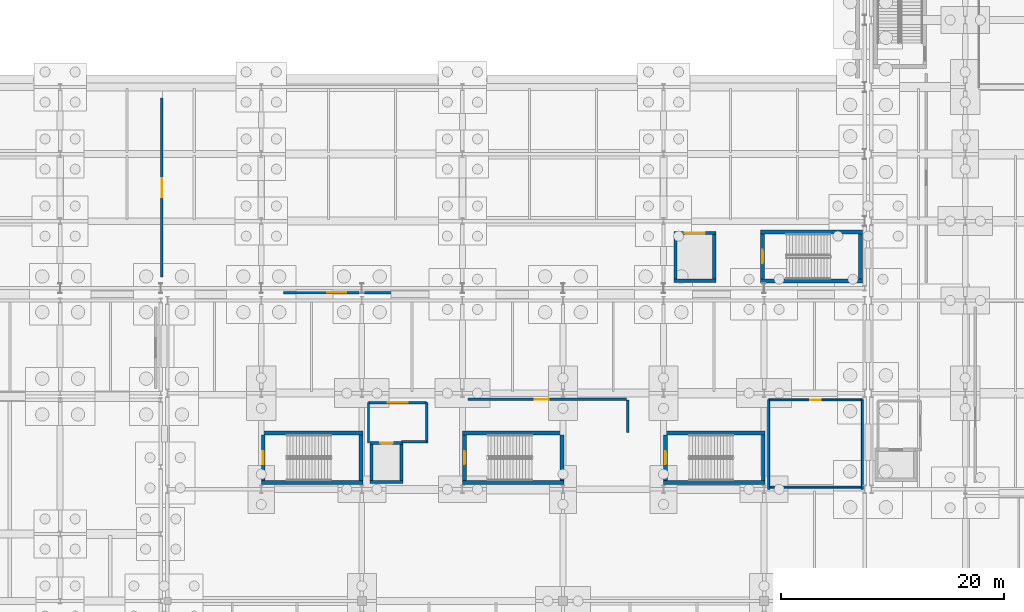
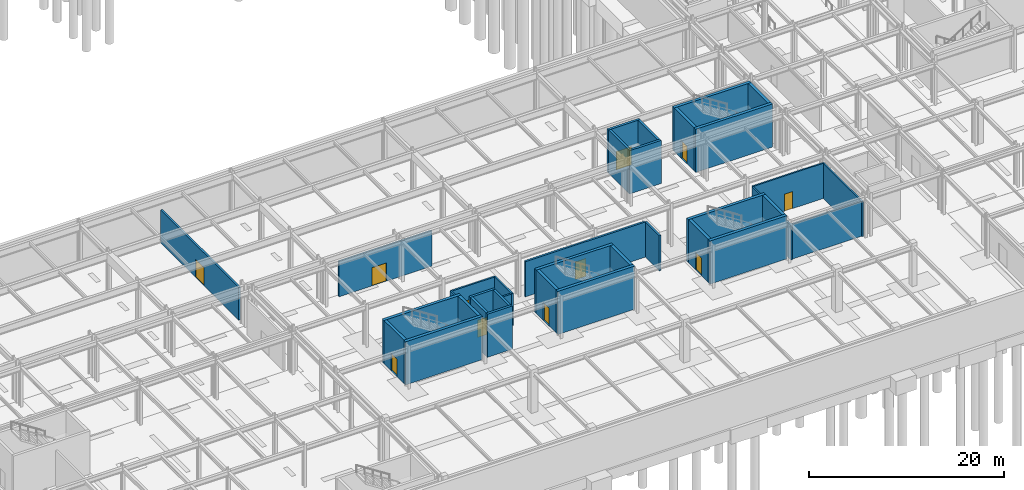
# One storey, part 44 of 65: 36 walls, 11 doors, 11 openings.
"""IFC4 building model written with IfcOpenShell, lengths in metres."""

from ifc_helpers import new_model, si_unit, direction, frame, frame_2d, origin, place, context, subcontext, project, spatial, rectangle, extrude, material, layer, layer_set, type_object, element, fill, save


model = new_model("IFC4")

# Units and contexts
model_context = context("Model", 3, precision=1e-05, world=origin(), true_north=direction((0.0, 1.0)))
body_context = subcontext(model_context, "Body", "Model", "MODEL_VIEW")
ifc_project = project(units=[si_unit("LENGTHUNIT", "METRE"), si_unit("AREAUNIT", "SQUARE_METRE"), si_unit("VOLUMEUNIT", "CUBIC_METRE"), si_unit("PLANEANGLEUNIT", "RADIAN"), si_unit("MASSUNIT", "GRAM", prefix="KILO")], contexts=[model_context])

# Site, building, storey
site_placement = place(None, origin())
site = spatial("IfcSite", under=ifc_project, at=site_placement, CompositionType="ELEMENT")
building_placement = place(site_placement, origin())
building = spatial("IfcBuilding", under=site, at=building_placement, Name="Kaldris Quays Convention Centre", CompositionType="ELEMENT")
storey_placement = place(building_placement, frame((0.0, 0.0, -5.39990234375)))
storey = spatial("IfcBuildingStorey", under=building, at=storey_placement, Name="B1", CompositionType="ELEMENT", Elevation=-5.39990234375)

# Wall, opening, door
ifc_material_1 = material(Name="Concrete C35/45", Category="concrete")
ifc_layer_1 = layer(ifc_material_1, 0.199951171875)
ifc_layer_set_1 = layer_set([ifc_layer_1], Name="Concrete C35/45")
wall_type_1 = type_object("IfcWallType", Name="INTERIOR WALL IW01", PredefinedType="PARTITIONING", material=ifc_layer_set_1)
wall_1_placement = place(storey_placement, frame((101.60009765625, 45.75, 0.0), z_axis=(0.0, 0.0, 1.0), x_axis=(1.0, 0.0, 0.0)))
wall_1 = element("IfcWall", 1, at=wall_1_placement, inside=storey, type_object=wall_type_1, Name="B1 Firefighting Lift Lobby FL01 Wall N", PredefinedType="PARTITIONING", context=body_context, shape_type="SweptSolid", body=[
    extrude(rectangle(XDim=5.199951171875, YDim=0.199951171875, at=frame_2d((2.60009765625, 0.0))), origin(), (0.0, 0.0, 1.0), 4.0),
])
opening_1_placement = place(wall_1_placement, frame((1.699951171875, 0.0, 0.0)))
opening_1 = element("IfcOpeningElement", 2, at=opening_1_placement, cuts=wall_1, Name="Opening ID02", PredefinedType="OPENING", context=body_context, shape_type="SweptSolid", body=[
    extrude(rectangle(XDim=1.800048828125, YDim=2.199951171875, at=frame_2d((0.89990234375, 1.10009765625))), frame((0.0, 0.10986328125, 0.0), z_axis=(0.0, -1.0, 0.0), x_axis=(1.0, 0.0, 0.0)), (0.0, 0.0, 1.0), 0.219970703125),
])
ifc_material_2 = material(Name="Steel S355J2 fire-resisting door", Category="steel")
door_type_1 = type_object("IfcDoorType", Name="INTERIOR DOOR ID02", OperationType="DOUBLE_DOOR_SINGLE_SWING", PredefinedType="DOOR", material=ifc_material_2)
door_1_placement = place(opening_1_placement, origin())
door_1 = element("IfcDoor", 3, at=door_1_placement, inside=storey, type_object=door_type_1, Name="B1 Firefighting Lift Lobby FL01 Fire Door", OperationType="DOUBLE_DOOR_SINGLE_SWING", OverallHeight=2.199951171875, OverallWidth=1.800048828125, PredefinedType="DOOR", context=body_context, shape_type="SweptSolid", body=[
    extrude(rectangle(XDim=1.800048828125, YDim=2.199951171875, at=frame_2d((0.89990234375, 1.10009765625))), frame((0.0, 0.02490234375, 0.0), z_axis=(0.0, -1.0, 0.0), x_axis=(1.0, 0.0, 0.0)), (0.0, 0.0, 1.0), 0.050048828125),
])
fill(opening_1, door_1)

# Walls
for number, where, z_axis, x_axis, name in (
    (4, (101.60009765625, 42.14990234375, 0.0), (0.0, 0.0, 1.0), (0.0, 1.0, 0.0), "B1 Firefighting Lift Lobby FL01 Wall W"),
    (5, (106.800048828125, 42.14990234375, 0.0), (0.0, 0.0, 1.0), (0.0, 1.0, 0.0), "B1 Firefighting Lift Lobby FL01 Wall E"),
):
    element("IfcWall", number, at=place(storey_placement, frame(where, z_axis=z_axis, x_axis=x_axis)), inside=storey, type_object=wall_type_1, Name=name, PredefinedType="PARTITIONING", context=body_context, shape_type="SweptSolid", body=[
        extrude(rectangle(XDim=3.60009765625, YDim=0.199951171875, at=frame_2d((1.800048828125, 0.0))), origin(), (0.0, 0.0, 1.0), 4.0),
    ])
wall_2_placement = place(storey_placement, frame((104.5400390625, 42.25, 0.0), z_axis=(0.0, 0.0, 1.0), x_axis=(1.0, 0.0, 0.0)))
element("IfcWall", 6, at=wall_2_placement, inside=storey, type_object=wall_type_1, Name="B1 Firefighting Lift Lobby FL01 Wall S", PredefinedType="PARTITIONING", context=body_context, shape_type="SweptSolid", body=[
    extrude(rectangle(XDim=2.260009765625, YDim=0.199951171875, at=frame_2d((1.1298828125, 0.0))), origin(), (0.0, 0.0, 1.0), 4.0),
])

# Wall, opening, door
ifc_material_3 = material(Name="Acoustic gypsum stud partition", Category="gypsum")
ifc_layer_2 = layer(ifc_material_3, 0.177978515625)
ifc_layer_set_2 = layer_set([ifc_layer_2], Name="Acoustic gypsum stud partition")
wall_type_2 = type_object("IfcWallType", Name="INTERIOR WALL IW02", PredefinedType="PARTITIONING", material=ifc_layer_set_2)
wall_3_placement = place(storey_placement, frame((137.39990234375, 46.0, 0.0), z_axis=(0.0, 0.0, 1.0), x_axis=(1.0, 0.0, 0.0)))
wall_3 = element("IfcWall", 7, at=wall_3_placement, inside=storey, type_object=wall_type_2, Name="B1 Interior Wall IW02 6", PredefinedType="PARTITIONING", context=body_context, shape_type="SweptSolid", body=[
    extrude(rectangle(XDim=8.400146484375, YDim=0.177978515625, at=frame_2d((4.2001953125, 0.0))), origin(), (0.0, 0.0, 1.0), 4.39990234375),
])
opening_2_placement = place(wall_3_placement, frame((3.7099609375, 0.0, 0.0)))
opening_2 = element("IfcOpeningElement", 8, at=opening_2_placement, cuts=wall_3, Name="Opening ID13", PredefinedType="OPENING", context=body_context, shape_type="SweptSolid", body=[
    extrude(rectangle(XDim=0.97998046875, YDim=2.139892578125, at=frame_2d((0.489990234375, 1.06982421875))), frame((0.0, 0.09912109375, 0.0), z_axis=(0.0, -1.0, 0.0), x_axis=(1.0, 0.0, 0.0)), (0.0, 0.0, 1.0), 0.197998046875),
])
ifc_material_4 = material(Name="SIA 500 accessible sanitary room door", Category="wood")
door_type_2 = type_object("IfcDoorType", Name="INTERIOR DOOR ID13", OperationType="NOTDEFINED", PredefinedType="DOOR", material=ifc_material_4)
door_2_placement = place(opening_2_placement, origin())
door_2 = element("IfcDoor", 9, at=door_2_placement, inside=storey, type_object=door_type_2, Name="B1 Interior Door ID13 5", OperationType="SINGLE_SWING_RIGHT", OverallHeight=2.139892578125, OverallWidth=0.97998046875, PredefinedType="DOOR", context=body_context, shape_type="SweptSolid", body=[
    extrude(rectangle(XDim=0.97998046875, YDim=2.139892578125, at=frame_2d((0.489990234375, 1.06982421875))), frame((0.0, 0.02490234375, 0.0), z_axis=(0.0, -1.0, 0.0), x_axis=(1.0, 0.0, 0.0)), (0.0, 0.0, 1.0), 0.050048828125),
])
fill(opening_2, door_2)

# Walls
for number, where, z_axis, x_axis, name in (
    (10, (137.39990234375, 38.0, 0.0), (0.0, 0.0, 1.0), (0.0, 1.0, 0.0), "B1 Interior Wall IW02 7"),
    (11, (145.800048828125, 38.0, 0.0), (0.0, 0.0, 1.0), (0.0, 1.0, 0.0), "B1 Interior Wall IW02 8"),
):
    element("IfcWall", number, at=place(storey_placement, frame(where, z_axis=z_axis, x_axis=x_axis)), inside=storey, type_object=wall_type_2, Name=name, PredefinedType="PARTITIONING", context=body_context, shape_type="SweptSolid", body=[
        extrude(rectangle(XDim=8.0, YDim=0.177978515625, at=frame_2d((4.0, 0.0))), origin(), (0.0, 0.0, 1.0), 4.372802734375),
    ])
wall_4_placement = place(storey_placement, frame((137.39990234375, 38.199951171875, 0.0), z_axis=(0.0, 0.0, 1.0), x_axis=(1.0, 0.0, 0.0)))
element("IfcWall", 12, at=wall_4_placement, inside=storey, type_object=wall_type_2, Name="B1 Interior Wall IW02 9", PredefinedType="PARTITIONING", context=body_context, shape_type="SweptSolid", body=[
    extrude(rectangle(XDim=8.400146484375, YDim=0.177978515625, at=frame_2d((4.2001953125, 0.0))), origin(), (0.0, 0.0, 1.0), 4.372802734375),
])

# Wall, opening, door
ifc_layer_3 = layer(ifc_material_1, 0.22412109375)
ifc_layer_set_3 = layer_set([ifc_layer_3], Name="Concrete C35/45")
wall_type_3 = type_object("IfcWallType", Name="INTERIOR WALL IW08", PredefinedType="PARTITIONING", material=ifc_layer_set_3)
wall_5_placement = place(storey_placement, frame((110.5, 46.050048828125, 0.0), z_axis=(0.0, 0.0, 1.0), x_axis=(1.0, 0.0, 0.0)))
wall_5 = element("IfcWall", 13, at=wall_5_placement, inside=storey, type_object=wall_type_3, Name="B1 Interior Wall IW08 4", PredefinedType="PARTITIONING", context=body_context, shape_type="SweptSolid", body=[
    extrude(rectangle(XDim=14.199951171875, YDim=0.22412109375, at=frame_2d((7.10009765625, 0.0))), origin(), (0.0, 0.0, 1.0), 4.39990234375),
])
opening_3_placement = place(wall_5_placement, frame((5.9599609375, 0.0, 0.0)))
opening_3 = element("IfcOpeningElement", 14, at=opening_3_placement, cuts=wall_5, Name="Opening ID14", PredefinedType="OPENING", context=body_context, shape_type="SweptSolid", body=[
    extrude(rectangle(XDim=1.280029296875, YDim=2.239990234375, at=frame_2d((0.64013671875, 1.1201171875))), frame((0.0, 0.1220703125, 0.0), z_axis=(0.0, -1.0, 0.0), x_axis=(1.0, 0.0, 0.0)), (0.0, 0.0, 1.0), 0.244140625),
])
ifc_material_5 = material(Name="Steel S355J2 plant room fire door", Category="steel")
door_type_3 = type_object("IfcDoorType", Name="INTERIOR DOOR ID14", OperationType="NOTDEFINED", PredefinedType="DOOR", material=ifc_material_5)
door_3_placement = place(opening_3_placement, origin())
door_3 = element("IfcDoor", 15, at=door_3_placement, inside=storey, type_object=door_type_3, Name="B1 Interior Door ID14 4", OperationType="SINGLE_SWING_LEFT", OverallHeight=2.239990234375, OverallWidth=1.280029296875, PredefinedType="DOOR", context=body_context, shape_type="SweptSolid", body=[
    extrude(rectangle(XDim=1.280029296875, YDim=2.239990234375, at=frame_2d((0.64013671875, 1.1201171875))), frame((0.0, 0.02490234375, 0.0), z_axis=(0.0, -1.0, 0.0), x_axis=(1.0, 0.0, 0.0)), (0.0, 0.0, 1.0), 0.050048828125),
])
fill(opening_3, door_3)

# Wall
wall_6_placement = place(storey_placement, frame((124.800048828125, 43.10009765625, 0.0), z_axis=(0.0, 0.0, 1.0), x_axis=(0.0, 1.0, 0.0)))
element("IfcWall", 16, at=wall_6_placement, inside=storey, type_object=wall_type_3, Name="B1 Interior Wall IW08 5", PredefinedType="PARTITIONING", context=body_context, shape_type="SweptSolid", body=[
    extrude(rectangle(XDim=2.89990234375, YDim=0.22412109375, at=frame_2d((1.449951171875, 0.0))), origin(), (0.0, 0.0, 1.0), 4.39990234375),
])

# Wall, opening, door
wall_7_placement = place(storey_placement, frame((83.10009765625, 57.0, 0.0), z_axis=(0.0, 0.0, 1.0), x_axis=(0.0, 1.0, 0.0)))
wall_7 = element("IfcWall", 17, at=wall_7_placement, inside=storey, type_object=wall_type_3, Name="B1 Interior Wall IW08 14", PredefinedType="PARTITIONING", context=body_context, shape_type="SweptSolid", body=[
    extrude(rectangle(XDim=16.0, YDim=0.22412109375, at=frame_2d((8.0, 0.0))), origin(), (0.0, 0.0, 1.0), 4.10791015625),
])
opening_4_placement = place(wall_7_placement, frame((7.139892578125, 0.0, 0.0)))
opening_4 = element("IfcOpeningElement", 18, at=opening_4_placement, cuts=wall_7, Name="Opening ID15", PredefinedType="OPENING", context=body_context, shape_type="SweptSolid", body=[
    extrude(rectangle(XDim=1.719970703125, YDim=2.280029296875, at=frame_2d((0.85986328125, 1.14013671875))), frame((0.0, 0.1220703125, 0.0), z_axis=(0.0, -1.0, 0.0), x_axis=(1.0, 0.0, 0.0)), (0.0, 0.0, 1.0), 0.244140625),
])
ifc_material_6 = material(Name="Steel S355J2 plant room double fire door", Category="steel")
door_type_4 = type_object("IfcDoorType", Name="INTERIOR DOOR ID15", OperationType="DOUBLE_DOOR_SINGLE_SWING", PredefinedType="DOOR", material=ifc_material_6)
door_4_placement = place(opening_4_placement, frame((1.719970703125, 0.0, 0.0), z_axis=(0.0, 0.0, 1.0), x_axis=(-1.0, 0.0, 0.0)))
door_4 = element("IfcDoor", 19, at=door_4_placement, inside=storey, type_object=door_type_4, Name="B1 Interior Door ID15 9", OperationType="DOUBLE_DOOR_SINGLE_SWING", OverallHeight=2.280029296875, OverallWidth=1.719970703125, PredefinedType="DOOR", context=body_context, shape_type="SweptSolid", body=[
    extrude(rectangle(XDim=1.719970703125, YDim=2.280029296875, at=frame_2d((0.85986328125, 1.14013671875))), frame((0.0, 0.02490234375, 0.0), z_axis=(0.0, -1.0, 0.0), x_axis=(1.0, 0.0, 0.0)), (0.0, 0.0, 1.0), 0.050048828125),
])
fill(opening_4, door_4)

wall_8_placement = place(storey_placement, frame((94.0, 55.60009765625, 0.0), z_axis=(0.0, 0.0, 1.0), x_axis=(1.0, 0.0, 0.0)))
wall_8 = element("IfcWall", 20, at=wall_8_placement, inside=storey, type_object=wall_type_3, Name="B1 Interior Wall IW08 15", PredefinedType="PARTITIONING", context=body_context, shape_type="SweptSolid", body=[
    extrude(rectangle(XDim=11.0, YDim=0.22412109375, at=frame_2d((5.5, 0.0))), origin(), (0.0, 0.0, 1.0), 4.39990234375),
])
opening_5_placement = place(wall_8_placement, frame((3.889892578125, 0.0, 0.0)))
opening_5 = element("IfcOpeningElement", 21, at=opening_5_placement, cuts=wall_8, Name="Opening ID15", PredefinedType="OPENING", context=body_context, shape_type="SweptSolid", body=[
    extrude(rectangle(XDim=1.719970703125, YDim=2.280029296875, at=frame_2d((0.85986328125, 1.14013671875))), frame((0.0, 0.1220703125, 0.0), z_axis=(0.0, -1.0, 0.0), x_axis=(1.0, 0.0, 0.0)), (0.0, 0.0, 1.0), 0.244140625),
])
door_5_placement = place(opening_5_placement, frame((1.719970703125, 0.0, 0.0), z_axis=(0.0, 0.0, 1.0), x_axis=(-1.0, 0.0, 0.0)))
door_5 = element("IfcDoor", 22, at=door_5_placement, inside=storey, type_object=door_type_4, Name="B1 Interior Door ID15 10", OperationType="DOUBLE_DOOR_SINGLE_SWING", OverallHeight=2.280029296875, OverallWidth=1.719970703125, PredefinedType="DOOR", context=body_context, shape_type="SweptSolid", body=[
    extrude(rectangle(XDim=1.719970703125, YDim=2.280029296875, at=frame_2d((0.85986328125, 1.14013671875))), frame((0.0, 0.02490234375, 0.0), z_axis=(0.0, -1.0, 0.0), x_axis=(1.0, 0.0, 0.0)), (0.0, 0.0, 1.0), 0.050048828125),
])
fill(opening_5, door_5)

# Walls
ifc_material_7 = material(Name="Concrete C40/50", Category="concrete")
ifc_layer_4 = layer(ifc_material_7, 0.35009765625)
ifc_layer_set_4 = layer_set([ifc_layer_4], Name="Concrete C40/50")
wall_type_4 = type_object("IfcWallType", Name="STRUCTURAL WALL SW01", PredefinedType="SHEAR", material=ifc_layer_set_4)
for number, where, z_axis, x_axis, name in (
    (23, (136.699951171875, 56.625, 0.0), (0.0, 0.0, 1.0), (1.0, 0.0, 0.0), "B1 Core Shear Wall CORE-ST02-B1-S"),
    (24, (136.699951171875, 61.02490234375, 0.0), (0.0, 0.0, 1.0), (1.0, 0.0, 0.0), "B1 Core Shear Wall CORE-ST02-B1-N"),
):
    element("IfcWall", number, at=place(storey_placement, frame(where, z_axis=z_axis, x_axis=x_axis)), inside=storey, type_object=wall_type_4, Name=name, PredefinedType="SHEAR", context=body_context, shape_type="SweptSolid", body=[
        extrude(rectangle(XDim=9.10009765625, YDim=0.35009765625, at=frame_2d((4.550048828125, 0.0))), origin(), (0.0, 0.0, 1.0), 5.39990234375),
    ])

# Wall, opening, door
wall_9_placement = place(storey_placement, frame((136.875, 56.800048828125, 0.0), z_axis=(0.0, 0.0, 1.0), x_axis=(0.0, 1.0, 0.0)))
wall_9 = element("IfcWall", 25, at=wall_9_placement, inside=storey, type_object=wall_type_4, Name="B1 Core Shear Wall CORE-ST02-B1-W", PredefinedType="SHEAR", context=body_context, shape_type="SweptSolid", body=[
    extrude(rectangle(XDim=4.050048828125, YDim=0.35009765625, at=frame_2d((2.02490234375, 0.0))), origin(), (0.0, 0.0, 1.0), 5.39990234375),
])
opening_6_placement = place(wall_9_placement, frame((1.425048828125, 0.0, 0.0)))
opening_6 = element("IfcOpeningElement", 26, at=opening_6_placement, cuts=wall_9, Name="Opening ID03", PredefinedType="OPENING", context=body_context, shape_type="SweptSolid", body=[
    extrude(rectangle(XDim=1.199951171875, YDim=2.199951171875, at=frame_2d((0.60009765625, 1.10009765625))), frame((0.0, 0.18505859375, 0.0), z_axis=(0.0, -1.0, 0.0), x_axis=(1.0, 0.0, 0.0)), (0.0, 0.0, 1.0), 0.3701171875),
])
door_type_5 = type_object("IfcDoorType", Name="INTERIOR DOOR ID03", OperationType="NOTDEFINED", PredefinedType="DOOR", material=ifc_material_2)
door_6_placement = place(opening_6_placement, frame((1.199951171875, 0.0, 0.0), z_axis=(0.0, 0.0, 1.0), x_axis=(-1.0, 0.0, 0.0)))
door_6 = element("IfcDoor", 27, at=door_6_placement, inside=storey, type_object=door_type_5, Name="B1 Escape Stair ST02 Fire Door", OperationType="SINGLE_SWING_RIGHT", OverallHeight=2.199951171875, OverallWidth=1.199951171875, PredefinedType="DOOR", context=body_context, shape_type="SweptSolid", body=[
    extrude(rectangle(XDim=1.199951171875, YDim=2.199951171875, at=frame_2d((0.60009765625, 1.10009765625))), frame((0.0, 0.02490234375, 0.0), z_axis=(0.0, -1.0, 0.0), x_axis=(1.0, 0.0, 0.0)), (0.0, 0.0, 1.0), 0.050048828125),
])
fill(opening_6, door_6)

# Walls
wall_10_placement = place(storey_placement, frame((145.625, 56.800048828125, 0.0), z_axis=(0.0, 0.0, 1.0), x_axis=(0.0, 1.0, 0.0)))
element("IfcWall", 28, at=wall_10_placement, inside=storey, type_object=wall_type_4, Name="B1 Core Shear Wall CORE-ST02-B1-E", PredefinedType="SHEAR", context=body_context, shape_type="SweptSolid", body=[
    extrude(rectangle(XDim=4.050048828125, YDim=0.35009765625, at=frame_2d((2.02490234375, 0.0))), origin(), (0.0, 0.0, 1.0), 5.39990234375),
])
for number, where, z_axis, x_axis, name in (
    (29, (92.0, 38.625, 0.0), (0.0, 0.0, 1.0), (1.0, 0.0, 0.0), "B1 Core Shear Wall CORE-ST11-B1-S"),
    (30, (92.0, 43.02490234375, 0.0), (0.0, 0.0, 1.0), (1.0, 0.0, 0.0), "B1 Core Shear Wall CORE-ST11-B1-N"),
):
    element("IfcWall", number, at=place(storey_placement, frame(where, z_axis=z_axis, x_axis=x_axis)), inside=storey, type_object=wall_type_4, Name=name, PredefinedType="SHEAR", context=body_context, shape_type="SweptSolid", body=[
        extrude(rectangle(XDim=9.10009765625, YDim=0.35009765625, at=frame_2d((4.550048828125, 0.0))), origin(), (0.0, 0.0, 1.0), 5.39990234375),
    ])

# Wall, opening, door
wall_11_placement = place(storey_placement, frame((92.175048828125, 38.800048828125, 0.0), z_axis=(0.0, 0.0, 1.0), x_axis=(0.0, 1.0, 0.0)))
wall_11 = element("IfcWall", 31, at=wall_11_placement, inside=storey, type_object=wall_type_4, Name="B1 Core Shear Wall CORE-ST11-B1-W", PredefinedType="SHEAR", context=body_context, shape_type="SweptSolid", body=[
    extrude(rectangle(XDim=4.050048828125, YDim=0.35009765625, at=frame_2d((2.02490234375, 0.0))), origin(), (0.0, 0.0, 1.0), 5.39990234375),
])
opening_7_placement = place(wall_11_placement, frame((1.425048828125, 0.0, 0.0)))
opening_7 = element("IfcOpeningElement", 32, at=opening_7_placement, cuts=wall_11, Name="Opening ID03", PredefinedType="OPENING", context=body_context, shape_type="SweptSolid", body=[
    extrude(rectangle(XDim=1.199951171875, YDim=2.199951171875, at=frame_2d((0.60009765625, 1.10009765625))), frame((0.0, 0.18505859375, 0.0), z_axis=(0.0, -1.0, 0.0), x_axis=(1.0, 0.0, 0.0)), (0.0, 0.0, 1.0), 0.3701171875),
])
door_7_placement = place(opening_7_placement, frame((1.199951171875, 0.0, 0.0), z_axis=(0.0, 0.0, 1.0), x_axis=(-1.0, 0.0, 0.0)))
door_7 = element("IfcDoor", 33, at=door_7_placement, inside=storey, type_object=door_type_5, Name="B1 Escape Stair ST11 Fire Door", OperationType="SINGLE_SWING_LEFT", OverallHeight=2.199951171875, OverallWidth=1.199951171875, PredefinedType="DOOR", context=body_context, shape_type="SweptSolid", body=[
    extrude(rectangle(XDim=1.199951171875, YDim=2.199951171875, at=frame_2d((0.60009765625, 1.10009765625))), frame((0.0, 0.02490234375, 0.0), z_axis=(0.0, -1.0, 0.0), x_axis=(1.0, 0.0, 0.0)), (0.0, 0.0, 1.0), 0.050048828125),
])
fill(opening_7, door_7)

# Walls
wall_12_placement = place(storey_placement, frame((100.925048828125, 38.800048828125, 0.0), z_axis=(0.0, 0.0, 1.0), x_axis=(0.0, 1.0, 0.0)))
element("IfcWall", 34, at=wall_12_placement, inside=storey, type_object=wall_type_4, Name="B1 Core Shear Wall CORE-ST11-B1-E", PredefinedType="SHEAR", context=body_context, shape_type="SweptSolid", body=[
    extrude(rectangle(XDim=4.050048828125, YDim=0.35009765625, at=frame_2d((2.02490234375, 0.0))), origin(), (0.0, 0.0, 1.0), 5.39990234375),
])
for number, where, z_axis, x_axis, name in (
    (35, (128.0, 38.625, 0.0), (0.0, 0.0, 1.0), (1.0, 0.0, 0.0), "B1 Core Shear Wall CORE-ST12-B1-S"),
    (36, (128.0, 43.02490234375, 0.0), (0.0, 0.0, 1.0), (1.0, 0.0, 0.0), "B1 Core Shear Wall CORE-ST12-B1-N"),
):
    element("IfcWall", number, at=place(storey_placement, frame(where, z_axis=z_axis, x_axis=x_axis)), inside=storey, type_object=wall_type_4, Name=name, PredefinedType="SHEAR", context=body_context, shape_type="SweptSolid", body=[
        extrude(rectangle(XDim=9.10009765625, YDim=0.35009765625, at=frame_2d((4.550048828125, 0.0))), origin(), (0.0, 0.0, 1.0), 5.39990234375),
    ])

# Wall, opening, door
wall_13_placement = place(storey_placement, frame((128.175048828125, 38.800048828125, 0.0), z_axis=(0.0, 0.0, 1.0), x_axis=(0.0, 1.0, 0.0)))
wall_13 = element("IfcWall", 37, at=wall_13_placement, inside=storey, type_object=wall_type_4, Name="B1 Core Shear Wall CORE-ST12-B1-W", PredefinedType="SHEAR", context=body_context, shape_type="SweptSolid", body=[
    extrude(rectangle(XDim=4.050048828125, YDim=0.35009765625, at=frame_2d((2.02490234375, 0.0))), origin(), (0.0, 0.0, 1.0), 5.39990234375),
])
opening_8_placement = place(wall_13_placement, frame((1.425048828125, 0.0, 0.0)))
opening_8 = element("IfcOpeningElement", 38, at=opening_8_placement, cuts=wall_13, Name="Opening ID03", PredefinedType="OPENING", context=body_context, shape_type="SweptSolid", body=[
    extrude(rectangle(XDim=1.199951171875, YDim=2.199951171875, at=frame_2d((0.60009765625, 1.10009765625))), frame((0.0, 0.18505859375, 0.0), z_axis=(0.0, -1.0, 0.0), x_axis=(1.0, 0.0, 0.0)), (0.0, 0.0, 1.0), 0.3701171875),
])
door_8_placement = place(opening_8_placement, frame((1.199951171875, 0.0, 0.0), z_axis=(0.0, 0.0, 1.0), x_axis=(-1.0, 0.0, 0.0)))
door_8 = element("IfcDoor", 39, at=door_8_placement, inside=storey, type_object=door_type_5, Name="B1 Escape Stair ST12 Fire Door", OperationType="SINGLE_SWING_LEFT", OverallHeight=2.199951171875, OverallWidth=1.199951171875, PredefinedType="DOOR", context=body_context, shape_type="SweptSolid", body=[
    extrude(rectangle(XDim=1.199951171875, YDim=2.199951171875, at=frame_2d((0.60009765625, 1.10009765625))), frame((0.0, 0.02490234375, 0.0), z_axis=(0.0, -1.0, 0.0), x_axis=(1.0, 0.0, 0.0)), (0.0, 0.0, 1.0), 0.050048828125),
])
fill(opening_8, door_8)

# Walls
wall_14_placement = place(storey_placement, frame((136.925048828125, 38.800048828125, 0.0), z_axis=(0.0, 0.0, 1.0), x_axis=(0.0, 1.0, 0.0)))
element("IfcWall", 40, at=wall_14_placement, inside=storey, type_object=wall_type_4, Name="B1 Core Shear Wall CORE-ST12-B1-E", PredefinedType="SHEAR", context=body_context, shape_type="SweptSolid", body=[
    extrude(rectangle(XDim=4.050048828125, YDim=0.35009765625, at=frame_2d((2.02490234375, 0.0))), origin(), (0.0, 0.0, 1.0), 5.39990234375),
])
for number, where, z_axis, x_axis, name in (
    (41, (110.0, 38.625, 0.0), (0.0, 0.0, 1.0), (1.0, 0.0, 0.0), "B1 Core Shear Wall CORE-ST13-B1-S"),
    (42, (110.0, 43.02490234375, 0.0), (0.0, 0.0, 1.0), (1.0, 0.0, 0.0), "B1 Core Shear Wall CORE-ST13-B1-N"),
):
    element("IfcWall", number, at=place(storey_placement, frame(where, z_axis=z_axis, x_axis=x_axis)), inside=storey, type_object=wall_type_4, Name=name, PredefinedType="SHEAR", context=body_context, shape_type="SweptSolid", body=[
        extrude(rectangle(XDim=9.10009765625, YDim=0.35009765625, at=frame_2d((4.550048828125, 0.0))), origin(), (0.0, 0.0, 1.0), 5.39990234375),
    ])

# Wall, opening, door
wall_15_placement = place(storey_placement, frame((110.175048828125, 38.800048828125, 0.0), z_axis=(0.0, 0.0, 1.0), x_axis=(0.0, 1.0, 0.0)))
wall_15 = element("IfcWall", 43, at=wall_15_placement, inside=storey, type_object=wall_type_4, Name="B1 Core Shear Wall CORE-ST13-B1-W", PredefinedType="SHEAR", context=body_context, shape_type="SweptSolid", body=[
    extrude(rectangle(XDim=4.050048828125, YDim=0.35009765625, at=frame_2d((2.02490234375, 0.0))), origin(), (0.0, 0.0, 1.0), 5.39990234375),
])
opening_9_placement = place(wall_15_placement, frame((1.425048828125, 0.0, 0.0)))
opening_9 = element("IfcOpeningElement", 44, at=opening_9_placement, cuts=wall_15, Name="Opening ID03", PredefinedType="OPENING", context=body_context, shape_type="SweptSolid", body=[
    extrude(rectangle(XDim=1.199951171875, YDim=2.199951171875, at=frame_2d((0.60009765625, 1.10009765625))), frame((0.0, 0.18505859375, 0.0), z_axis=(0.0, -1.0, 0.0), x_axis=(1.0, 0.0, 0.0)), (0.0, 0.0, 1.0), 0.3701171875),
])
door_9_placement = place(opening_9_placement, frame((1.199951171875, 0.0, 0.0), z_axis=(0.0, 0.0, 1.0), x_axis=(-1.0, 0.0, 0.0)))
door_9 = element("IfcDoor", 45, at=door_9_placement, inside=storey, type_object=door_type_5, Name="B1 Escape Stair ST13 Fire Door", OperationType="SINGLE_SWING_LEFT", OverallHeight=2.199951171875, OverallWidth=1.199951171875, PredefinedType="DOOR", context=body_context, shape_type="SweptSolid", body=[
    extrude(rectangle(XDim=1.199951171875, YDim=2.199951171875, at=frame_2d((0.60009765625, 1.10009765625))), frame((0.0, 0.02490234375, 0.0), z_axis=(0.0, -1.0, 0.0), x_axis=(1.0, 0.0, 0.0)), (0.0, 0.0, 1.0), 0.050048828125),
])
fill(opening_9, door_9)

# Walls
wall_16_placement = place(storey_placement, frame((118.925048828125, 38.800048828125, 0.0), z_axis=(0.0, 0.0, 1.0), x_axis=(0.0, 1.0, 0.0)))
element("IfcWall", 46, at=wall_16_placement, inside=storey, type_object=wall_type_4, Name="B1 Core Shear Wall CORE-ST13-B1-E", PredefinedType="SHEAR", context=body_context, shape_type="SweptSolid", body=[
    extrude(rectangle(XDim=4.050048828125, YDim=0.35009765625, at=frame_2d((2.02490234375, 0.0))), origin(), (0.0, 0.0, 1.0), 5.39990234375),
])
ifc_layer_5 = layer(ifc_material_7, 0.280029296875)
ifc_layer_set_5 = layer_set([ifc_layer_5], Name="Concrete C40/50")
wall_type_5 = type_object("IfcWallType", Name="STRUCTURAL WALL SW03", PredefinedType="SHEAR", material=ifc_layer_set_5)
wall_17_placement = place(storey_placement, frame((101.719970703125, 38.659912109375, 0.0), z_axis=(0.0, 0.0, 1.0), x_axis=(1.0, 0.0, 0.0)))
element("IfcWall", 47, at=wall_17_placement, inside=storey, type_object=wall_type_5, Name="B1 Core Shear Wall LSHAFT-FL01-B1-S", PredefinedType="SHEAR", context=body_context, shape_type="SweptSolid", body=[
    extrude(rectangle(XDim=2.9599609375, YDim=0.280029296875, at=frame_2d((1.47998046875, 0.0))), origin(), (0.0, 0.0, 1.0), 5.39990234375),
])

# Wall, opening, door
wall_18_placement = place(storey_placement, frame((101.719970703125, 42.139892578125, 0.0), z_axis=(0.0, 0.0, 1.0), x_axis=(1.0, 0.0, 0.0)))
wall_18 = element("IfcWall", 48, at=wall_18_placement, inside=storey, type_object=wall_type_5, Name="B1 Core Shear Wall LSHAFT-FL01-B1-N", PredefinedType="SHEAR", context=body_context, shape_type="SweptSolid", body=[
    extrude(rectangle(XDim=2.9599609375, YDim=0.280029296875, at=frame_2d((1.47998046875, 0.0))), origin(), (0.0, 0.0, 1.0), 5.39990234375),
])
opening_10_placement = place(wall_18_placement, frame((0.929931640625, 0.0, 0.0)))
opening_10 = element("IfcOpeningElement", 49, at=opening_10_placement, cuts=wall_18, Name="Opening LD01", PredefinedType="OPENING", context=body_context, shape_type="SweptSolid", body=[
    extrude(rectangle(XDim=1.10009765625, YDim=2.14990234375, at=frame_2d((0.550048828125, 1.074951171875))), frame((0.0, 0.14990234375, 0.0), z_axis=(0.0, -1.0, 0.0), x_axis=(1.0, 0.0, 0.0)), (0.0, 0.0, 1.0), 0.300048828125),
])
ifc_material_8 = material(Name="Stainless steel 1.4301 lift landing door", Category="steel")
door_type_6 = type_object("IfcDoorType", Name="INTERIOR DOOR LD01", OperationType="DOUBLE_DOOR_SLIDING", PredefinedType="DOOR", material=ifc_material_8)
door_10_placement = place(opening_10_placement, origin())
door_10 = element("IfcDoor", 50, at=door_10_placement, inside=storey, type_object=door_type_6, Name="B1 FL01 Sliding Lift Landing Door", OperationType="DOUBLE_DOOR_SLIDING", OverallHeight=2.14990234375, OverallWidth=1.10009765625, PredefinedType="DOOR", context=body_context, shape_type="SweptSolid", body=[
    extrude(rectangle(XDim=1.10009765625, YDim=2.14990234375, at=frame_2d((0.550048828125, 1.074951171875))), frame((0.0, 0.02490234375, 0.0), z_axis=(0.0, -1.0, 0.0), x_axis=(1.0, 0.0, 0.0)), (0.0, 0.0, 1.0), 0.050048828125),
])
fill(opening_10, door_10)

# Walls
for number, where, z_axis, x_axis, name in (
    (51, (101.860107421875, 38.800048828125, 0.0), (0.0, 0.0, 1.0), (0.0, 1.0, 0.0), "B1 Core Shear Wall LSHAFT-FL01-B1-W"),
    (52, (104.5400390625, 38.800048828125, 0.0), (0.0, 0.0, 1.0), (0.0, 1.0, 0.0), "B1 Core Shear Wall LSHAFT-FL01-B1-E"),
):
    element("IfcWall", number, at=place(storey_placement, frame(where, z_axis=z_axis, x_axis=x_axis)), inside=storey, type_object=wall_type_5, Name=name, PredefinedType="SHEAR", context=body_context, shape_type="SweptSolid", body=[
        extrude(rectangle(XDim=3.199951171875, YDim=0.280029296875, at=frame_2d((1.60009765625, 0.0))), origin(), (0.0, 0.0, 1.0), 5.39990234375),
    ])
wall_19_placement = place(storey_placement, frame((128.919921875, 56.659912109375, 0.0), z_axis=(0.0, 0.0, 1.0), x_axis=(1.0, 0.0, 0.0)))
element("IfcWall", 53, at=wall_19_placement, inside=storey, type_object=wall_type_5, Name="B1 Core Shear Wall LSHAFT-GL01-B1-S", PredefinedType="SHEAR", context=body_context, shape_type="SweptSolid", body=[
    extrude(rectangle(XDim=3.760009765625, YDim=0.280029296875, at=frame_2d((1.8798828125, 0.0))), origin(), (0.0, 0.0, 1.0), 5.39990234375),
])

# Wall, opening, door
wall_20_placement = place(storey_placement, frame((128.919921875, 60.93994140625, 0.0), z_axis=(0.0, 0.0, 1.0), x_axis=(1.0, 0.0, 0.0)))
wall_20 = element("IfcWall", 54, at=wall_20_placement, inside=storey, type_object=wall_type_5, Name="B1 Core Shear Wall LSHAFT-GL01-B1-N", PredefinedType="SHEAR", context=body_context, shape_type="SweptSolid", body=[
    extrude(rectangle(XDim=3.760009765625, YDim=0.280029296875, at=frame_2d((1.8798828125, 0.0))), origin(), (0.0, 0.0, 1.0), 5.39990234375),
])
opening_11_placement = place(wall_20_placement, frame((0.97998046875, 0.0, 0.0)))
opening_11 = element("IfcOpeningElement", 55, at=opening_11_placement, cuts=wall_20, Name="Opening LD02", PredefinedType="OPENING", context=body_context, shape_type="SweptSolid", body=[
    extrude(rectangle(XDim=1.800048828125, YDim=2.300048828125, at=frame_2d((0.89990234375, 1.14990234375))), frame((0.0, 0.14990234375, 0.0), z_axis=(0.0, -1.0, 0.0), x_axis=(1.0, 0.0, 0.0)), (0.0, 0.0, 1.0), 0.300048828125),
])
ifc_material_9 = material(Name="Stainless steel 1.4301 freight lift landing door", Category="steel")
door_type_7 = type_object("IfcDoorType", Name="INTERIOR DOOR LD02", OperationType="DOUBLE_DOOR_SLIDING", PredefinedType="DOOR", material=ifc_material_9)
door_11_placement = place(opening_11_placement, origin())
door_11 = element("IfcDoor", 56, at=door_11_placement, inside=storey, type_object=door_type_7, Name="B1 GL01 Sliding Lift Landing Door", OperationType="DOUBLE_DOOR_SLIDING", OverallHeight=2.300048828125, OverallWidth=1.800048828125, PredefinedType="DOOR", context=body_context, shape_type="SweptSolid", body=[
    extrude(rectangle(XDim=1.800048828125, YDim=2.300048828125, at=frame_2d((0.89990234375, 1.14990234375))), frame((0.0, 0.02490234375, 0.0), z_axis=(0.0, -1.0, 0.0), x_axis=(1.0, 0.0, 0.0)), (0.0, 0.0, 1.0), 0.050048828125),
])
fill(opening_11, door_11)

# Walls
for number, where, z_axis, x_axis, name in (
    (57, (129.06005859375, 56.800048828125, 0.0), (0.0, 0.0, 1.0), (0.0, 1.0, 0.0), "B1 Core Shear Wall LSHAFT-GL01-B1-W"),
    (58, (132.5400390625, 56.800048828125, 0.0), (0.0, 0.0, 1.0), (0.0, 1.0, 0.0), "B1 Core Shear Wall LSHAFT-GL01-B1-E"),
):
    element("IfcWall", number, at=place(storey_placement, frame(where, z_axis=z_axis, x_axis=x_axis)), inside=storey, type_object=wall_type_5, Name=name, PredefinedType="SHEAR", context=body_context, shape_type="SweptSolid", body=[
        extrude(rectangle(XDim=4.0, YDim=0.280029296875, at=frame_2d((2.0, 0.0))), origin(), (0.0, 0.0, 1.0), 5.39990234375),
    ])

save(model, "model.ifc")
